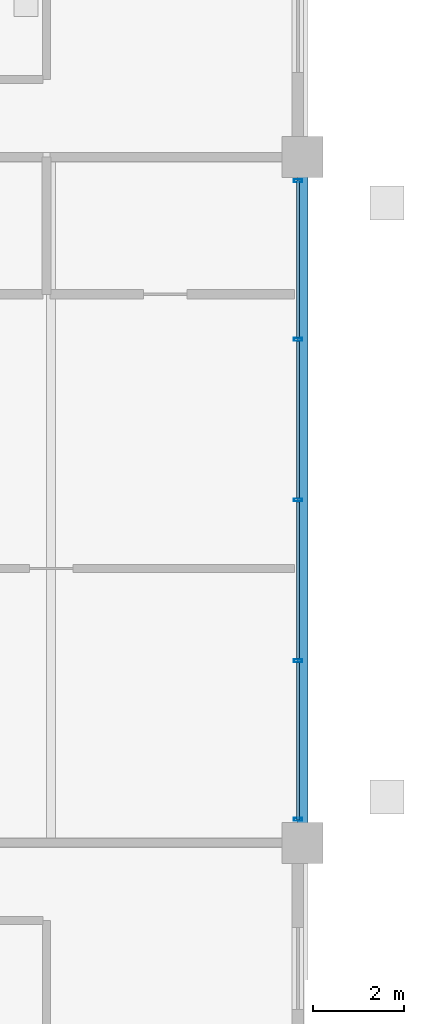
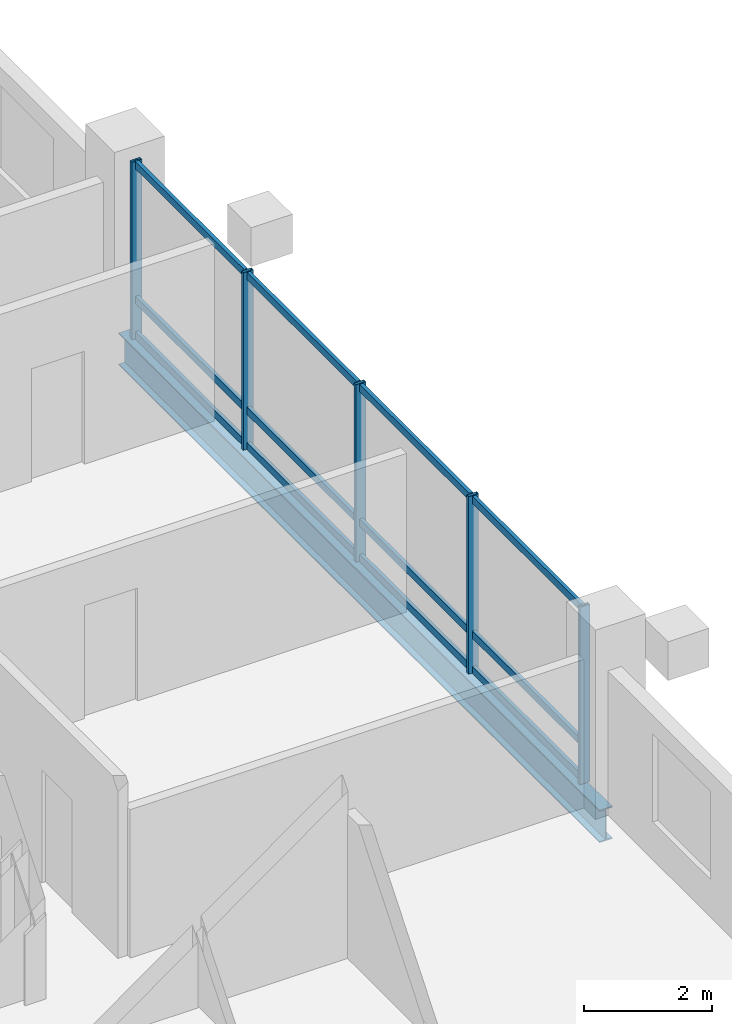
# One storey, part 10 of 21: 17 members, 1 beam, 1 element without a shape of its own.
"""IFC4 building model written with IfcOpenShell, lengths in metres."""

from ifc_helpers import new_model, si_unit, direction, frame, origin, origin_2d, place, context, subcontext, project, spatial, hollow_rectangle, i_section, extrude, material, layer, layer_set, material_profile, profile_set, type_object, element, aggregate, save


model = new_model("IFC4")

# Units and contexts
model_context = context("Model", 3, precision=1e-05, world=origin(), true_north=direction((0.0, 1.0)))
body_context = subcontext(model_context, "Body", "Model", "MODEL_VIEW")
ifc_project = project(units=[si_unit("LENGTHUNIT", "METRE"), si_unit("AREAUNIT", "SQUARE_METRE"), si_unit("VOLUMEUNIT", "CUBIC_METRE"), si_unit("PLANEANGLEUNIT", "RADIAN"), si_unit("MASSUNIT", "GRAM", prefix="KILO")], contexts=[model_context])

# Site, building, storey
site_placement = place(None, origin())
site = spatial("IfcSite", under=ifc_project, at=site_placement, CompositionType="ELEMENT")
building_placement = place(site_placement, origin())
building = spatial("IfcBuilding", under=site, at=building_placement, Name="Barlavira Tower and Art Museum", CompositionType="ELEMENT")
storey_placement = place(building_placement, frame((0.0, 0.0, 297.89990234375)))
storey = spatial("IfcBuildingStorey", under=building, at=storey_placement, Name="L78", CompositionType="ELEMENT", Elevation=297.89990234375)

# Curtain wall, members
ifc_material_1 = material(Name="Low-iron coastal laminated glass", Category="glass")
ifc_layer = layer(ifc_material_1, 0.2099609375, Name="Low-iron coastal laminated glass")
ifc_layer_set = layer_set([ifc_layer], Name="Low-iron coastal laminated glass")
curtain_wall_type = type_object("IfcCurtainWallType", Name="Pale-Metal Unitised Curtain Wall Zone 4", PredefinedType="NOTDEFINED", material=ifc_layer_set)
curtain_wall_placement = place(storey_placement, origin())
curtain_wall = element("IfcCurtainWall", 1, at=curtain_wall_placement, inside=storey, type_object=curtain_wall_type, Name="L78 Curtain Wall CW4-L78-E-B3", PredefinedType="NOTDEFINED")
ifc_material_2 = material(Name="Pale anodised aluminium", Category="aluminium")
ifc_material_profile_1 = material_profile(ifc_material_2, hollow_rectangle(XDim=0.06494140625, YDim=0.179931640625, WallThickness=0.00390625, at=origin_2d()), Name="ALU-MULL 65x180x4")
ifc_profile_set_1 = profile_set([ifc_material_profile_1], Name="Pale anodised aluminium")
member_type_1 = type_object("IfcMemberType", Name="Curtain Wall Pale-Metal Mullion 65x180", PredefinedType="MULLION", material=ifc_profile_set_1)
member_1_placement = place(storey_placement, frame((16.89990234375, -6.985107421875, 0.0), z_axis=(0.0, 0.0, 1.0), x_axis=(0.0, 1.0, 0.0)))
member_1 = element("IfcMember", 2, at=member_1_placement, type_object=member_type_1, Name="CW4-L78-E-B3 Mullion 0", PredefinedType="MULLION", context=body_context, shape_type="SweptSolid", body=[
    extrude(hollow_rectangle(XDim=0.06494140625, YDim=0.179931640625, WallThickness=0.00390625, at=origin_2d()), origin(), (0.0, 0.0, 1.0), 3.380126953125),
])
member_2_placement = place(storey_placement, frame((16.89990234375, -3.514892578125, 0.0), z_axis=(0.0, 0.0, 1.0), x_axis=(0.0, 1.0, 0.0)))
member_2 = element("IfcMember", 3, at=member_2_placement, type_object=member_type_1, Name="CW4-L78-E-B3 Mullion 1", PredefinedType="MULLION", context=body_context, shape_type="SweptSolid", body=[
    extrude(hollow_rectangle(XDim=0.06494140625, YDim=0.179931640625, WallThickness=0.00390625, at=origin_2d()), origin(), (0.0, 0.0, 1.0), 3.380126953125),
])
member_3_placement = place(storey_placement, frame((16.89990234375, 0.0, 0.0), z_axis=(0.0, 0.0, 1.0), x_axis=(0.0, 1.0, 0.0)))
member_3 = element("IfcMember", 4, at=member_3_placement, type_object=member_type_1, Name="CW4-L78-E-B3 Mullion 2", PredefinedType="MULLION", context=body_context, shape_type="SweptSolid", body=[
    extrude(hollow_rectangle(XDim=0.06494140625, YDim=0.179931640625, WallThickness=0.00390625, at=origin_2d()), origin(), (0.0, 0.0, 1.0), 3.380126953125),
])
member_4_placement = place(storey_placement, frame((16.89990234375, 3.514892578125, 0.0), z_axis=(0.0, 0.0, 1.0), x_axis=(0.0, 1.0, 0.0)))
member_4 = element("IfcMember", 5, at=member_4_placement, type_object=member_type_1, Name="CW4-L78-E-B3 Mullion 3", PredefinedType="MULLION", context=body_context, shape_type="SweptSolid", body=[
    extrude(hollow_rectangle(XDim=0.06494140625, YDim=0.179931640625, WallThickness=0.00390625, at=origin_2d()), origin(), (0.0, 0.0, 1.0), 3.380126953125),
])
member_5_placement = place(storey_placement, frame((16.89990234375, 6.985107421875, 0.0), z_axis=(0.0, 0.0, 1.0), x_axis=(0.0, 1.0, 0.0)))
member_5 = element("IfcMember", 6, at=member_5_placement, type_object=member_type_1, Name="CW4-L78-E-B3 Mullion 4", PredefinedType="MULLION", context=body_context, shape_type="SweptSolid", body=[
    extrude(hollow_rectangle(XDim=0.06494140625, YDim=0.179931640625, WallThickness=0.00390625, at=origin_2d()), origin(), (0.0, 0.0, 1.0), 3.380126953125),
])
ifc_material_profile_2 = material_profile(ifc_material_2, hollow_rectangle(XDim=0.06494140625, YDim=0.139892578125, WallThickness=0.00390625, at=origin_2d()), Name="ALU-TRAN 65x140x4")
ifc_profile_set_2 = profile_set([ifc_material_profile_2], Name="Pale anodised aluminium")
member_type_2 = type_object("IfcMemberType", Name="Curtain Wall Pale-Metal Transom 65x140", PredefinedType="USERDEFINED", material=ifc_profile_set_2)
member_6_placement = place(storey_placement, frame((16.89990234375, -6.985107421875, 0.070068359375), z_axis=(0.0, 1.0, 0.0), x_axis=(-1.0, 0.0, 0.0)))
member_6 = element("IfcMember", 7, at=member_6_placement, type_object=member_type_2, Name="CW4-L78-E-B3 Transom 0.1", ObjectType="TRANSOM", PredefinedType="USERDEFINED", context=body_context, shape_type="SweptSolid", body=[
    extrude(hollow_rectangle(XDim=0.06494140625, YDim=0.139892578125, WallThickness=0.00390625, at=origin_2d()), origin(), (0.0, 0.0, 1.0), 3.425048828125),
])
member_7_placement = place(storey_placement, frame((16.89990234375, -6.985107421875, 0.744140625), z_axis=(0.0, 1.0, 0.0), x_axis=(-1.0, 0.0, 0.0)))
member_7 = element("IfcMember", 8, at=member_7_placement, type_object=member_type_2, Name="CW4-L78-E-B3 Transom 0.2", ObjectType="TRANSOM", PredefinedType="USERDEFINED", context=body_context, shape_type="SweptSolid", body=[
    extrude(hollow_rectangle(XDim=0.06494140625, YDim=0.139892578125, WallThickness=0.00390625, at=origin_2d()), origin(), (0.0, 0.0, 1.0), 3.425048828125),
])
member_8_placement = place(storey_placement, frame((16.89990234375, -6.985107421875, 3.31005859375), z_axis=(0.0, 1.0, 0.0), x_axis=(-1.0, 0.0, 0.0)))
member_8 = element("IfcMember", 9, at=member_8_placement, type_object=member_type_2, Name="CW4-L78-E-B3 Transom 0.3", ObjectType="TRANSOM", PredefinedType="USERDEFINED", context=body_context, shape_type="SweptSolid", body=[
    extrude(hollow_rectangle(XDim=0.06494140625, YDim=0.139892578125, WallThickness=0.00390625, at=origin_2d()), origin(), (0.0, 0.0, 1.0), 3.425048828125),
])
member_9_placement = place(storey_placement, frame((16.89990234375, -3.469970703125, 0.070068359375), z_axis=(0.0, 1.0, 0.0), x_axis=(-1.0, 0.0, 0.0)))
member_9 = element("IfcMember", 10, at=member_9_placement, type_object=member_type_2, Name="CW4-L78-E-B3 Transom 1.1", ObjectType="TRANSOM", PredefinedType="USERDEFINED", context=body_context, shape_type="SweptSolid", body=[
    extrude(hollow_rectangle(XDim=0.06494140625, YDim=0.139892578125, WallThickness=0.00390625, at=origin_2d()), origin(), (0.0, 0.0, 1.0), 3.425048828125),
])
member_10_placement = place(storey_placement, frame((16.89990234375, -3.469970703125, 0.744140625), z_axis=(0.0, 1.0, 0.0), x_axis=(-1.0, 0.0, 0.0)))
member_10 = element("IfcMember", 11, at=member_10_placement, type_object=member_type_2, Name="CW4-L78-E-B3 Transom 1.2", ObjectType="TRANSOM", PredefinedType="USERDEFINED", context=body_context, shape_type="SweptSolid", body=[
    extrude(hollow_rectangle(XDim=0.06494140625, YDim=0.139892578125, WallThickness=0.00390625, at=origin_2d()), origin(), (0.0, 0.0, 1.0), 3.425048828125),
])
member_11_placement = place(storey_placement, frame((16.89990234375, -3.469970703125, 3.31005859375), z_axis=(0.0, 1.0, 0.0), x_axis=(-1.0, 0.0, 0.0)))
member_11 = element("IfcMember", 12, at=member_11_placement, type_object=member_type_2, Name="CW4-L78-E-B3 Transom 1.3", ObjectType="TRANSOM", PredefinedType="USERDEFINED", context=body_context, shape_type="SweptSolid", body=[
    extrude(hollow_rectangle(XDim=0.06494140625, YDim=0.139892578125, WallThickness=0.00390625, at=origin_2d()), origin(), (0.0, 0.0, 1.0), 3.425048828125),
])
member_12_placement = place(storey_placement, frame((16.89990234375, 0.044921875, 0.070068359375), z_axis=(0.0, 1.0, 0.0), x_axis=(-1.0, 0.0, 0.0)))
member_12 = element("IfcMember", 13, at=member_12_placement, type_object=member_type_2, Name="CW4-L78-E-B3 Transom 2.1", ObjectType="TRANSOM", PredefinedType="USERDEFINED", context=body_context, shape_type="SweptSolid", body=[
    extrude(hollow_rectangle(XDim=0.06494140625, YDim=0.139892578125, WallThickness=0.00390625, at=origin_2d()), origin(), (0.0, 0.0, 1.0), 3.425048828125),
])
member_13_placement = place(storey_placement, frame((16.89990234375, 0.044921875, 0.744140625), z_axis=(0.0, 1.0, 0.0), x_axis=(-1.0, 0.0, 0.0)))
member_13 = element("IfcMember", 14, at=member_13_placement, type_object=member_type_2, Name="CW4-L78-E-B3 Transom 2.2", ObjectType="TRANSOM", PredefinedType="USERDEFINED", context=body_context, shape_type="SweptSolid", body=[
    extrude(hollow_rectangle(XDim=0.06494140625, YDim=0.139892578125, WallThickness=0.00390625, at=origin_2d()), origin(), (0.0, 0.0, 1.0), 3.425048828125),
])
member_14_placement = place(storey_placement, frame((16.89990234375, 0.044921875, 3.31005859375), z_axis=(0.0, 1.0, 0.0), x_axis=(-1.0, 0.0, 0.0)))
member_14 = element("IfcMember", 15, at=member_14_placement, type_object=member_type_2, Name="CW4-L78-E-B3 Transom 2.3", ObjectType="TRANSOM", PredefinedType="USERDEFINED", context=body_context, shape_type="SweptSolid", body=[
    extrude(hollow_rectangle(XDim=0.06494140625, YDim=0.139892578125, WallThickness=0.00390625, at=origin_2d()), origin(), (0.0, 0.0, 1.0), 3.425048828125),
])
member_15_placement = place(storey_placement, frame((16.89990234375, 3.56005859375, 0.070068359375), z_axis=(0.0, 1.0, 0.0), x_axis=(-1.0, 0.0, 0.0)))
member_15 = element("IfcMember", 16, at=member_15_placement, type_object=member_type_2, Name="CW4-L78-E-B3 Transom 3.1", ObjectType="TRANSOM", PredefinedType="USERDEFINED", context=body_context, shape_type="SweptSolid", body=[
    extrude(hollow_rectangle(XDim=0.06494140625, YDim=0.139892578125, WallThickness=0.00390625, at=origin_2d()), origin(), (0.0, 0.0, 1.0), 3.425048828125),
])
member_16_placement = place(storey_placement, frame((16.89990234375, 3.56005859375, 0.744140625), z_axis=(0.0, 1.0, 0.0), x_axis=(-1.0, 0.0, 0.0)))
member_16 = element("IfcMember", 17, at=member_16_placement, type_object=member_type_2, Name="CW4-L78-E-B3 Transom 3.2", ObjectType="TRANSOM", PredefinedType="USERDEFINED", context=body_context, shape_type="SweptSolid", body=[
    extrude(hollow_rectangle(XDim=0.06494140625, YDim=0.139892578125, WallThickness=0.00390625, at=origin_2d()), origin(), (0.0, 0.0, 1.0), 3.425048828125),
])
member_17_placement = place(storey_placement, frame((16.89990234375, 3.56005859375, 3.31005859375), z_axis=(0.0, 1.0, 0.0), x_axis=(-1.0, 0.0, 0.0)))
member_17 = element("IfcMember", 18, at=member_17_placement, type_object=member_type_2, Name="CW4-L78-E-B3 Transom 3.3", ObjectType="TRANSOM", PredefinedType="USERDEFINED", context=body_context, shape_type="SweptSolid", body=[
    extrude(hollow_rectangle(XDim=0.06494140625, YDim=0.139892578125, WallThickness=0.00390625, at=origin_2d()), origin(), (0.0, 0.0, 1.0), 3.425048828125),
])
aggregate(curtain_wall, [member_1, member_2, member_3, member_4, member_5, member_6, member_7, member_8, member_9, member_10, member_11, member_12, member_13, member_14, member_15, member_16, member_17])

# Beam
ifc_material_3 = material(Name="Steel S355", Category="steel")
ifc_material_profile_3 = material_profile(ifc_material_3, i_section(OverallWidth=0.22998046875, OverallDepth=0.616943359375, WebThickness=0.01318359375, FlangeThickness=0.022216796875, at=origin_2d()), Name="W610x140.0")
ifc_profile_set_3 = profile_set([ifc_material_profile_3], Name="Steel S355")
beam_type = type_object("IfcBeamType", Name="Upper Shaft Spandrel Edge Beam W610x140 Steel S355", PredefinedType="SPANDREL", material=ifc_profile_set_3)
beam_placement = place(storey_placement, frame((17.0, -7.5, -0.5283203125), z_axis=(0.0, 1.0, 0.0), x_axis=(-1.0, 0.0, 0.0)))
element("IfcBeam", 19, at=beam_placement, inside=storey, type_object=beam_type, Name="L78 Spandrel 6", PredefinedType="SPANDREL", context=body_context, shape_type="SweptSolid", body=[
    extrude(i_section(OverallWidth=0.22998046875, OverallDepth=0.616943359375, WebThickness=0.01318359375, FlangeThickness=0.022216796875, at=origin_2d()), origin(), (0.0, 0.0, 1.0), 15.0),
])

save(model, "model.ifc")
